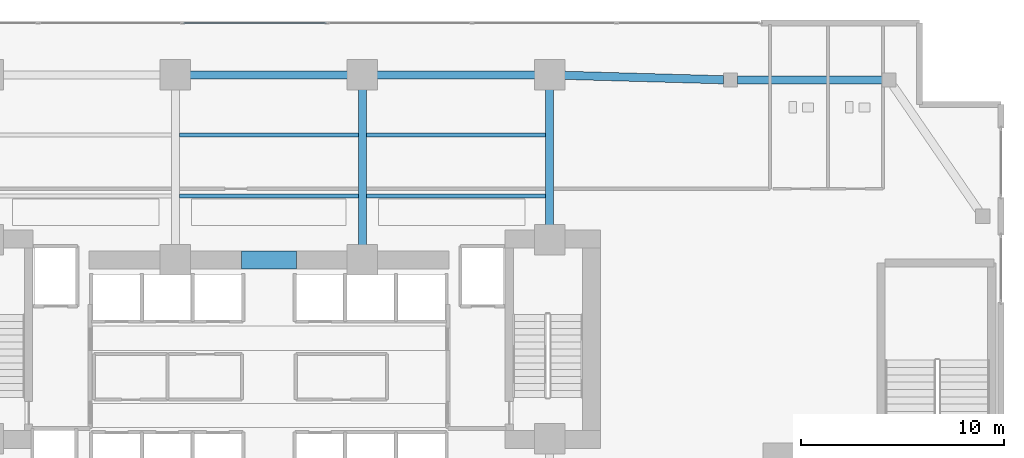
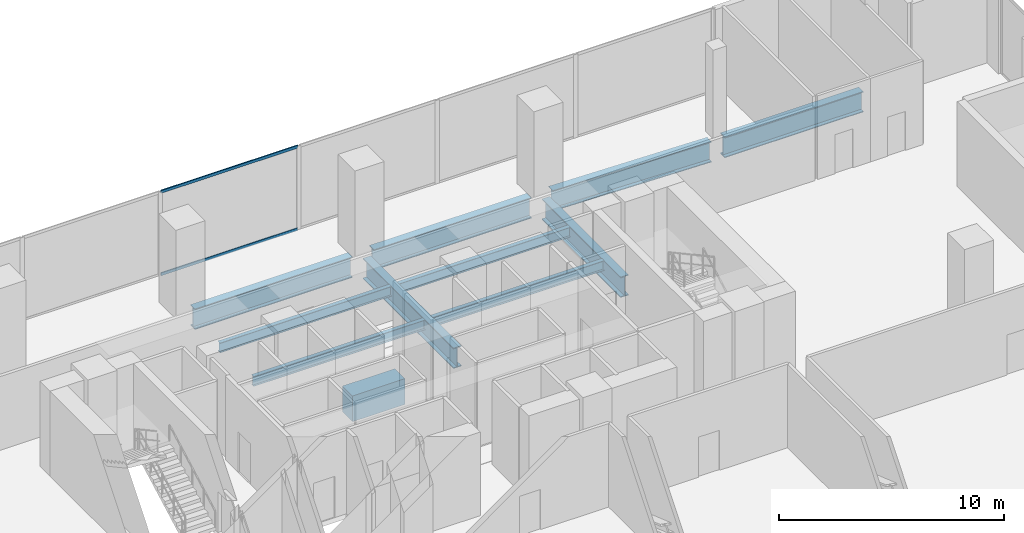
# One storey, part 18 of 33: 11 beams, 2 members, 1 element without a shape of its own.
"""IFC4 building model written with IfcOpenShell, lengths in metres."""

from ifc_helpers import new_model, si_unit, direction, frame, origin, origin_2d, place, context, subcontext, project, spatial, rectangle, hollow_rectangle, i_section, extrude, material, layer, layer_set, material_profile, profile_set, type_object, element, aggregate, save


model = new_model("IFC4")

# Units and contexts
model_context = context("Model", 3, precision=1e-05, world=origin(), true_north=direction((0.0, 1.0)))
body_context = subcontext(model_context, "Body", "Model", "MODEL_VIEW")
ifc_project = project(units=[si_unit("LENGTHUNIT", "METRE"), si_unit("AREAUNIT", "SQUARE_METRE"), si_unit("VOLUMEUNIT", "CUBIC_METRE"), si_unit("PLANEANGLEUNIT", "RADIAN"), si_unit("MASSUNIT", "GRAM", prefix="KILO")], contexts=[model_context])

# Site, building, storey
site_placement = place(None, origin())
site = spatial("IfcSite", under=ifc_project, at=site_placement, CompositionType="ELEMENT")
building_placement = place(site_placement, origin())
building = spatial("IfcBuilding", under=site, at=building_placement, Name="Zuhayl Quay Hotel", CompositionType="ELEMENT")
storey_placement = place(building_placement, frame((0.0, 0.0, 18.0)))
storey = spatial("IfcBuildingStorey", under=building, at=storey_placement, Name="L03", CompositionType="ELEMENT", Elevation=18.0)

# Beams
ifc_material_1 = material(Name="Concrete C60/75", Category="concrete")
ifc_material_profile_1 = material_profile(ifc_material_1, rectangle(XDim=0.89990234375, YDim=1.39990234375, at=origin_2d()), Name="RC900X1400")
ifc_profile_set_1 = profile_set([ifc_material_profile_1], Name="Concrete C60/75")
beam_type_1 = type_object("IfcBeamType", Name="BM_CB1_RC900", PredefinedType="T_BEAM", material=ifc_profile_set_1)
beam_1_placement = place(storey_placement, frame((-1.35009765625, 13.35009765625, -0.9599609375), z_axis=(1.0, 0.0, 0.0), x_axis=(0.0, 1.0, 0.0)))
element("IfcBeam", 1, at=beam_1_placement, inside=storey, type_object=beam_type_1, Name="L03 Core Coupling Beam North", PredefinedType="T_BEAM", context=body_context, shape_type="SweptSolid", body=[
    extrude(rectangle(XDim=0.89990234375, YDim=1.39990234375, at=origin_2d()), origin(), (0.0, 0.0, 1.0), 2.7001953125),
])
ifc_material_2 = material(Name="Steel ASTM A992 Grade 50", Category="steel")
ifc_material_profile_2 = material_profile(ifc_material_2, i_section(OverallWidth=0.208984375, OverallDepth=0.532958984375, WebThickness=0.01025390625, FlangeThickness=0.015625, at=origin_2d()), Name="W21X62")
ifc_profile_set_2 = profile_set([ifc_material_profile_2], Name="Steel ASTM A992 Grade 50")
beam_type_2 = type_object("IfcBeamType", Name="BM_J1_W21X62", PredefinedType="JOIST", material=ifc_profile_set_2)
for number, where, z_axis, x_axis, name in (
    (2, (-4.406005859375, 16.5, -0.526611328125), (1.0, 0.0, 0.0), (0.0, 1.0, 0.0), "L03 Floor Beam J_POD_L03_4_2"),
    (3, (4.7939453125, 16.5, -0.526611328125), (1.0, 0.0, 0.0), (0.0, 1.0, 0.0), "L03 Floor Beam J_POD_L03_4_3"),
    (4, (-4.406005859375, 19.5, -0.526611328125), (1.0, 0.0, 0.0), (0.0, 1.0, 0.0), "L03 Floor Beam J_POD_L03_5_2"),
    (5, (4.7939453125, 19.5, -0.526611328125), (1.0, 0.0, 0.0), (0.0, 1.0, 0.0), "L03 Floor Beam J_POD_L03_5_3"),
):
    element("IfcBeam", number, at=place(storey_placement, frame(where, z_axis=z_axis, x_axis=x_axis)), inside=storey, type_object=beam_type_2, Name=name, PredefinedType="JOIST", context=body_context, shape_type="SweptSolid", body=[
        extrude(i_section(OverallWidth=0.208984375, OverallDepth=0.532958984375, WebThickness=0.01025390625, FlangeThickness=0.015625, at=origin_2d()), origin(), (0.0, 0.0, 1.0), 8.81201171875),
    ])
ifc_material_3 = material(Name="Steel ASTM A913 Grade 65", Category="steel")
ifc_material_profile_3 = material_profile(ifc_material_3, i_section(OverallWidth=0.404052734375, OverallDepth=1.117919921875, WebThickness=0.026123046875, FlangeThickness=0.044921875, at=origin_2d()), Name="W44X335")
ifc_profile_set_3 = profile_set([ifc_material_profile_3], Name="Steel ASTM A913 Grade 65")
beam_type_3 = type_object("IfcBeamType", Name="BM_TG1_W44X335", PredefinedType="BEAM", material=ifc_profile_set_3)
for number, where, z_axis, x_axis, name in (
    (6, (-4.050048828125, 22.449951171875, -0.819091796875), (1.0, 0.0, 0.0), (0.0, 1.0, 0.0), "L03 Floor Beam PG_N_L03_3"),
    (7, (5.14990234375, 22.449951171875, -0.819091796875), (1.0, 0.0, 0.0), (0.0, 1.0, 0.0), "L03 Floor Beam PG_N_L03_4"),
):
    element("IfcBeam", number, at=place(storey_placement, frame(where, z_axis=z_axis, x_axis=x_axis)), inside=storey, type_object=beam_type_3, Name=name, PredefinedType="BEAM", context=body_context, shape_type="SweptSolid", body=[
        extrude(i_section(OverallWidth=0.404052734375, OverallDepth=1.117919921875, WebThickness=0.026123046875, FlangeThickness=0.044921875, at=origin_2d()), origin(), (0.0, 0.0, 1.0), 8.10009765625),
    ])
beam_2_placement = place(storey_placement, frame((14.349853515625, 22.4345703125, -0.819091796875), z_axis=(0.99960539529, -0.028090099801, 0.0), x_axis=(0.028090099801, 0.99960539529, 0.0)))
element("IfcBeam", 8, at=beam_2_placement, inside=storey, type_object=beam_type_3, Name="L03 Floor Beam PG_N_L03_5", PredefinedType="BEAM", context=body_context, shape_type="SweptSolid", body=[
    extrude(i_section(OverallWidth=0.404052734375, OverallDepth=1.117919921875, WebThickness=0.026123046875, FlangeThickness=0.044921875, at=origin_2d()), origin(), (0.0, 0.0, 1.0), 8.013427734375),
])
beam_3_placement = place(storey_placement, frame((23.0400390625, 22.199951171875, -0.819091796875), z_axis=(1.0, 0.0, 0.0), x_axis=(0.0, 1.0, 0.0)))
element("IfcBeam", 9, at=beam_3_placement, inside=storey, type_object=beam_type_3, Name="L03 Floor Beam PG_N_L03_6", PredefinedType="BEAM", context=body_context, shape_type="SweptSolid", body=[
    extrude(i_section(OverallWidth=0.404052734375, OverallDepth=1.117919921875, WebThickness=0.026123046875, FlangeThickness=0.044921875, at=origin_2d()), origin(), (0.0, 0.0, 1.0), 7.119873046875),
])
beam_4_placement = place(storey_placement, frame((4.60009765625, 13.8701171875, -0.819091796875), z_axis=(0.0, 1.0, 0.0), x_axis=(-1.0, 0.0, 0.0)))
element("IfcBeam", 10, at=beam_4_placement, inside=storey, type_object=beam_type_3, Name="L03 Floor Beam PG_NS3_L03_3", PredefinedType="BEAM", context=body_context, shape_type="SweptSolid", body=[
    extrude(i_section(OverallWidth=0.404052734375, OverallDepth=1.117919921875, WebThickness=0.026123046875, FlangeThickness=0.044921875, at=origin_2d()), origin(), (0.0, 0.0, 1.0), 8.059814453125),
])
beam_5_placement = place(storey_placement, frame((13.800048828125, 14.919921875, -0.819091796875), z_axis=(0.0, 1.0, 0.0), x_axis=(-1.0, 0.0, 0.0)))
element("IfcBeam", 11, at=beam_5_placement, inside=storey, type_object=beam_type_3, Name="L03 Floor Beam PG_NS3_L03_4", PredefinedType="BEAM", context=body_context, shape_type="SweptSolid", body=[
    extrude(i_section(OverallWidth=0.404052734375, OverallDepth=1.117919921875, WebThickness=0.026123046875, FlangeThickness=0.044921875, at=origin_2d()), origin(), (0.0, 0.0, 1.0), 7.010009765625),
])

# Curtain wall, members
ifc_material_4 = material(Name="Anodised Aluminium 6063-T6", Category="aluminium")
ifc_layer = layer(ifc_material_4, 0.199951171875, Name="Anodised Aluminium 6063-T6", Category="aluminium")
ifc_layer_set = layer_set([ifc_layer], Name="Anodised Aluminium 6063-T6")
curtain_wall_type = type_object("IfcCurtainWallType", Name="CW_SYS_POD", PredefinedType="USERDEFINED", material=ifc_layer_set)
curtain_wall_placement = place(storey_placement, origin())
curtain_wall = element("IfcCurtainWall", 12, at=curtain_wall_placement, inside=storey, type_object=curtain_wall_type, Name="L03 Curtain Wall ENV_L03_E05_CW3", ObjectType="UNITISED CURTAIN WALL", PredefinedType="USERDEFINED")
ifc_material_5 = material(Name="Black-anodised aluminium 6063-T6", Category="aluminium")
ifc_material_profile_4 = material_profile(ifc_material_5, hollow_rectangle(XDim=0.06005859375, YDim=0.14990234375, WallThickness=0.00341796875, at=origin_2d()), Name="ALU150X60")
ifc_profile_set_4 = profile_set([ifc_material_profile_4], Name="Black-anodised aluminium 6063-T6")
member_type = type_object("IfcMemberType", Name="MB_CW_TRN_150", PredefinedType="USERDEFINED", material=ifc_profile_set_4)
member_1_placement = place(storey_placement, frame((-4.21240234375, 25.0, 0.030029296875), z_axis=(1.0, 0.0, 0.0), x_axis=(0.0, 1.0, 0.0)))
member_1 = element("IfcMember", 13, at=member_1_placement, type_object=member_type, Name="CW-POD transom 3.1", ObjectType="TRANSOM", PredefinedType="USERDEFINED", context=body_context, shape_type="SweptSolid", body=[
    extrude(hollow_rectangle(XDim=0.06005859375, YDim=0.14990234375, WallThickness=0.00341796875, at=origin_2d()), origin(), (0.0, 0.0, 1.0), 7.037353515625),
])
member_2_placement = place(storey_placement, frame((-4.21240234375, 25.0, 4.510009765625), z_axis=(1.0, 0.0, 0.0), x_axis=(0.0, 1.0, 0.0)))
member_2 = element("IfcMember", 14, at=member_2_placement, type_object=member_type, Name="CW-POD transom 3.2", ObjectType="TRANSOM", PredefinedType="USERDEFINED", context=body_context, shape_type="SweptSolid", body=[
    extrude(hollow_rectangle(XDim=0.06005859375, YDim=0.14990234375, WallThickness=0.00341796875, at=origin_2d()), origin(), (0.0, 0.0, 1.0), 7.037353515625),
])
aggregate(curtain_wall, [member_1, member_2])

save(model, "model.ifc")
